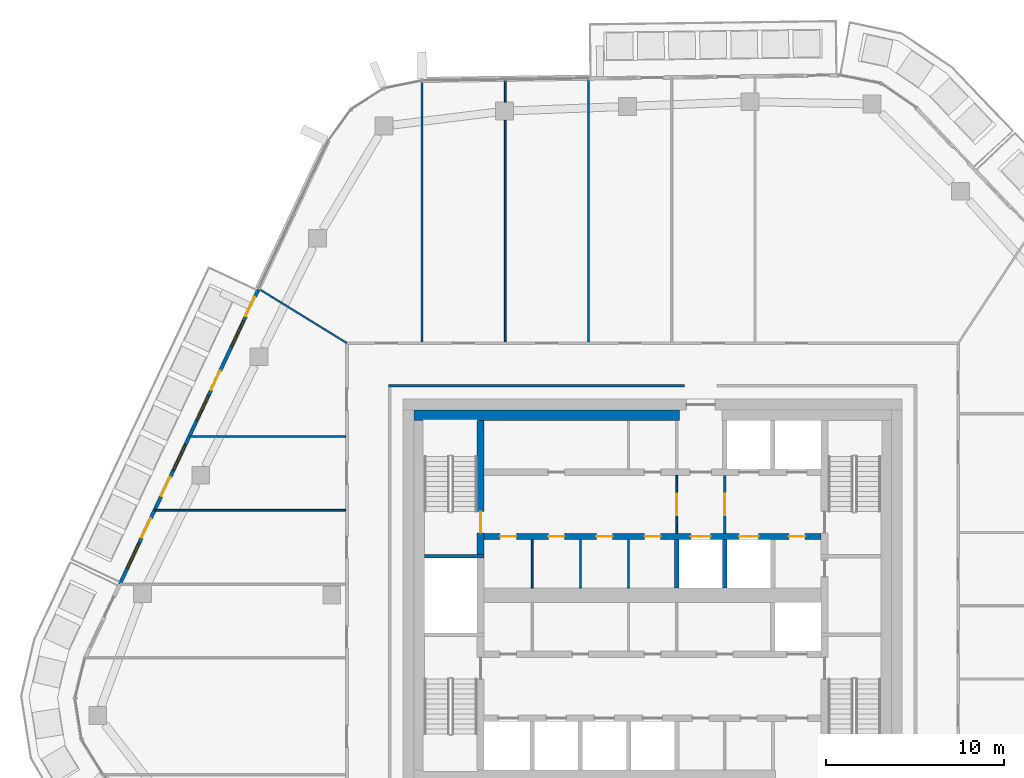
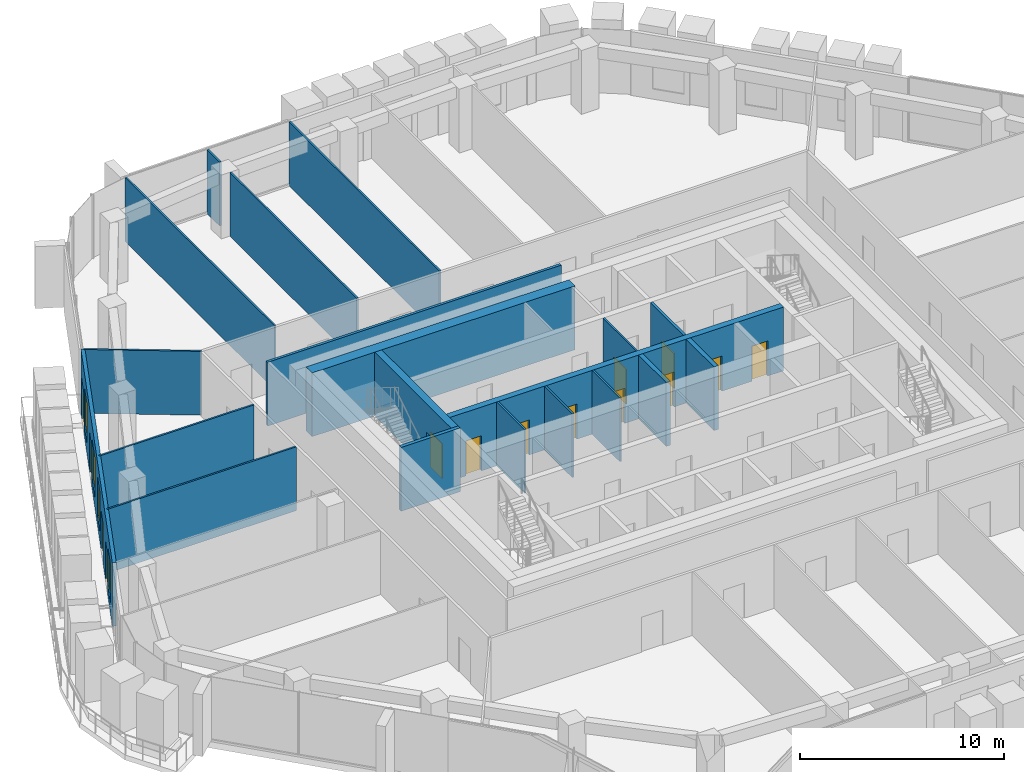
# One storey, part 15 of 23: 20 walls, 14 doors, 4 windows, 18 openings.
"""IFC4 building model written with IfcOpenShell, lengths in metres."""

from ifc_helpers import new_model, si_unit, direction, frame, frame_2d, origin, place, context, subcontext, project, spatial, rectangle, extrude, material, layer, layer_set, type_object, element, fill, save


model = new_model("IFC4")

# Units and contexts
model_context = context("Model", 3, precision=1e-05, world=origin(), true_north=direction((0.0, 1.0)))
body_context = subcontext(model_context, "Body", "Model", "MODEL_VIEW")
ifc_project = project(units=[si_unit("LENGTHUNIT", "METRE"), si_unit("AREAUNIT", "SQUARE_METRE"), si_unit("VOLUMEUNIT", "CUBIC_METRE"), si_unit("PLANEANGLEUNIT", "RADIAN"), si_unit("MASSUNIT", "GRAM", prefix="KILO")], contexts=[model_context])

# Site, building, storey
site_placement = place(None, origin())
site = spatial("IfcSite", under=ifc_project, at=site_placement, CompositionType="ELEMENT")
building_placement = place(site_placement, origin())
building = spatial("IfcBuilding", under=site, at=building_placement, Name="Dongbaek Canopy Tower", CompositionType="ELEMENT")
storey_placement = place(building_placement, frame((0.0, 0.0, 336.199951171875)))
storey = spatial("IfcBuildingStorey", under=building, at=storey_placement, Name="L72", CompositionType="ELEMENT", Elevation=336.199951171875)

# Wall, openings, doors
ifc_material_1 = material(Name="Concrete C60/75", Category="concrete")
ifc_layer_1 = layer(ifc_material_1, 0.35009765625)
ifc_layer_set_1 = layer_set([ifc_layer_1], Name="Core lobby wall 350 Concrete C60/75")
wall_type_1 = type_object("IfcWallType", Name="Core lobby wall 350 Concrete C60/75", PredefinedType="SHEAR", material=ifc_layer_set_1)
wall_1_placement = place(storey_placement, frame((9.449951171875, 3.300048828125, 0.0), z_axis=(0.0, 0.0, 1.0), x_axis=(-1.0, 0.0, 0.0)))
wall_1 = element("IfcWall", 1, at=wall_1_placement, inside=storey, type_object=wall_type_1, Name="Core wall", PredefinedType="SHEAR", context=body_context, shape_type="SweptSolid", body=[
    extrude(rectangle(XDim=18.89990234375, YDim=0.35009765625, at=frame_2d((9.449951171875, 0.0))), origin(), (0.0, 0.0, 1.0), 3.820068359375),
])
opening_1_placement = place(wall_1_placement, frame((6.199951171875, 0.0, 0.0)))
opening_1 = element("IfcOpeningElement", 2, at=opening_1_placement, cuts=wall_1, Name="Opening L72-D030", PredefinedType="OPENING", context=body_context, shape_type="SweptSolid", body=[
    extrude(rectangle(XDim=1.10009765625, YDim=2.10009765625, at=frame_2d((0.550048828125, 1.050048828125))), frame((0.0, 0.18505859375, 0.0), z_axis=(0.0, -1.0, 0.0), x_axis=(1.0, 0.0, 0.0)), (0.0, 0.0, 1.0), 0.3701171875),
])
opening_2_placement = place(wall_1_placement, frame((3.5, 0.0, 0.0)))
opening_2 = element("IfcOpeningElement", 3, at=opening_2_placement, cuts=wall_1, Name="Opening L72-D031", PredefinedType="OPENING", context=body_context, shape_type="SweptSolid", body=[
    extrude(rectangle(XDim=1.10009765625, YDim=2.10009765625, at=frame_2d((0.550048828125, 1.050048828125))), frame((0.0, 0.18505859375, 0.0), z_axis=(0.0, -1.0, 0.0), x_axis=(1.0, 0.0, 0.0)), (0.0, 0.0, 1.0), 0.3701171875),
])
opening_3_placement = place(wall_1_placement, frame((0.89990234375, 0.0, 0.0)))
opening_3 = element("IfcOpeningElement", 4, at=opening_3_placement, cuts=wall_1, Name="Opening L72-D032", PredefinedType="OPENING", context=body_context, shape_type="SweptSolid", body=[
    extrude(rectangle(XDim=0.89990234375, YDim=2.10009765625, at=frame_2d((0.449951171875, 1.050048828125))), frame((0.0, 0.18505859375, 0.0), z_axis=(0.0, -1.0, 0.0), x_axis=(1.0, 0.0, 0.0)), (0.0, 0.0, 1.0), 0.3701171875),
])
opening_4_placement = place(wall_1_placement, frame((17.10009765625, 0.0, 0.0)))
opening_4 = element("IfcOpeningElement", 5, at=opening_4_placement, cuts=wall_1, Name="Opening L72-D042", PredefinedType="OPENING", context=body_context, shape_type="SweptSolid", body=[
    extrude(rectangle(XDim=0.89990234375, YDim=2.10009765625, at=frame_2d((0.449951171875, 1.050048828125))), frame((0.0, 0.18505859375, 0.0), z_axis=(0.0, -1.0, 0.0), x_axis=(1.0, 0.0, 0.0)), (0.0, 0.0, 1.0), 0.3701171875),
])
opening_5_placement = place(wall_1_placement, frame((14.39990234375, 0.0, 0.0)))
opening_5 = element("IfcOpeningElement", 6, at=opening_5_placement, cuts=wall_1, Name="Opening L72-D043", PredefinedType="OPENING", context=body_context, shape_type="SweptSolid", body=[
    extrude(rectangle(XDim=0.89990234375, YDim=2.10009765625, at=frame_2d((0.449951171875, 1.050048828125))), frame((0.0, 0.18505859375, 0.0), z_axis=(0.0, -1.0, 0.0), x_axis=(1.0, 0.0, 0.0)), (0.0, 0.0, 1.0), 0.3701171875),
])
opening_6_placement = place(wall_1_placement, frame((11.699951171875, 0.0, 0.0)))
opening_6 = element("IfcOpeningElement", 7, at=opening_6_placement, cuts=wall_1, Name="Opening L72-D044", PredefinedType="OPENING", context=body_context, shape_type="SweptSolid", body=[
    extrude(rectangle(XDim=0.89990234375, YDim=2.10009765625, at=frame_2d((0.449951171875, 1.050048828125))), frame((0.0, 0.18505859375, 0.0), z_axis=(0.0, -1.0, 0.0), x_axis=(1.0, 0.0, 0.0)), (0.0, 0.0, 1.0), 0.3701171875),
])
opening_7_placement = place(wall_1_placement, frame((9.0, 0.0, 0.0)))
opening_7 = element("IfcOpeningElement", 8, at=opening_7_placement, cuts=wall_1, Name="Opening L72-D045", PredefinedType="OPENING", context=body_context, shape_type="SweptSolid", body=[
    extrude(rectangle(XDim=0.89990234375, YDim=2.10009765625, at=frame_2d((0.449951171875, 1.050048828125))), frame((0.0, 0.18505859375, 0.0), z_axis=(0.0, -1.0, 0.0), x_axis=(1.0, 0.0, 0.0)), (0.0, 0.0, 1.0), 0.3701171875),
])
ifc_material_2 = material(Name="Steel", Category="steel")
door_type_1 = type_object("IfcDoorType", Name="Core room door 900 x 2100", OperationType="SINGLE_SWING_LEFT", PredefinedType="DOOR", material=ifc_material_2)
door_1_placement = place(opening_3_placement, origin())
door_1 = element("IfcDoor", 9, at=door_1_placement, inside=storey, type_object=door_type_1, Name="Door L72-D032", OperationType="SINGLE_SWING_LEFT", OverallHeight=2.10009765625, OverallWidth=0.89990234375, PredefinedType="DOOR", context=body_context, shape_type="SweptSolid", body=[
    extrude(rectangle(XDim=0.89990234375, YDim=2.10009765625, at=frame_2d((0.449951171875, 1.050048828125))), frame((0.0, 0.02490234375, 0.0), z_axis=(0.0, -1.0, 0.0), x_axis=(1.0, 0.0, 0.0)), (0.0, 0.0, 1.0), 0.050048828125),
])
fill(opening_3, door_1)
door_2_placement = place(opening_4_placement, origin())
door_2 = element("IfcDoor", 10, at=door_2_placement, inside=storey, type_object=door_type_1, Name="Door L72-D042", OperationType="SINGLE_SWING_RIGHT", OverallHeight=2.10009765625, OverallWidth=0.89990234375, PredefinedType="DOOR", context=body_context, shape_type="SweptSolid", body=[
    extrude(rectangle(XDim=0.89990234375, YDim=2.10009765625, at=frame_2d((0.449951171875, 1.050048828125))), frame((0.0, 0.02490234375, 0.0), z_axis=(0.0, -1.0, 0.0), x_axis=(1.0, 0.0, 0.0)), (0.0, 0.0, 1.0), 0.050048828125),
])
fill(opening_4, door_2)
door_3_placement = place(opening_5_placement, origin())
door_3 = element("IfcDoor", 11, at=door_3_placement, inside=storey, type_object=door_type_1, Name="Door L72-D043", OperationType="SINGLE_SWING_LEFT", OverallHeight=2.10009765625, OverallWidth=0.89990234375, PredefinedType="DOOR", context=body_context, shape_type="SweptSolid", body=[
    extrude(rectangle(XDim=0.89990234375, YDim=2.10009765625, at=frame_2d((0.449951171875, 1.050048828125))), frame((0.0, 0.02490234375, 0.0), z_axis=(0.0, -1.0, 0.0), x_axis=(1.0, 0.0, 0.0)), (0.0, 0.0, 1.0), 0.050048828125),
])
fill(opening_5, door_3)
door_4_placement = place(opening_6_placement, origin())
door_4 = element("IfcDoor", 12, at=door_4_placement, inside=storey, type_object=door_type_1, Name="Door L72-D044", OperationType="SINGLE_SWING_RIGHT", OverallHeight=2.10009765625, OverallWidth=0.89990234375, PredefinedType="DOOR", context=body_context, shape_type="SweptSolid", body=[
    extrude(rectangle(XDim=0.89990234375, YDim=2.10009765625, at=frame_2d((0.449951171875, 1.050048828125))), frame((0.0, 0.02490234375, 0.0), z_axis=(0.0, -1.0, 0.0), x_axis=(1.0, 0.0, 0.0)), (0.0, 0.0, 1.0), 0.050048828125),
])
fill(opening_6, door_4)
door_5_placement = place(opening_7_placement, origin())
door_5 = element("IfcDoor", 13, at=door_5_placement, inside=storey, type_object=door_type_1, Name="Door L72-D045", OperationType="SINGLE_SWING_LEFT", OverallHeight=2.10009765625, OverallWidth=0.89990234375, PredefinedType="DOOR", context=body_context, shape_type="SweptSolid", body=[
    extrude(rectangle(XDim=0.89990234375, YDim=2.10009765625, at=frame_2d((0.449951171875, 1.050048828125))), frame((0.0, 0.02490234375, 0.0), z_axis=(0.0, -1.0, 0.0), x_axis=(1.0, 0.0, 0.0)), (0.0, 0.0, 1.0), 0.050048828125),
])
fill(opening_7, door_5)
ifc_material_3 = material(Name="Stainless steel", Category="steel")
door_type_2 = type_object("IfcDoorType", Name="Lift landing door 1100 x 2100", OperationType="DOUBLE_DOOR_SLIDING", PredefinedType="DOOR", material=ifc_material_3)
door_6_placement = place(opening_1_placement, origin())
door_6 = element("IfcDoor", 14, at=door_6_placement, inside=storey, type_object=door_type_2, Name="Landing door SV1", OperationType="DOUBLE_DOOR_SLIDING", OverallHeight=2.10009765625, OverallWidth=1.10009765625, PredefinedType="DOOR", context=body_context, shape_type="SweptSolid", body=[
    extrude(rectangle(XDim=1.10009765625, YDim=2.10009765625, at=frame_2d((0.550048828125, 1.050048828125))), frame((0.0, 0.02490234375, 0.0), z_axis=(0.0, -1.0, 0.0), x_axis=(1.0, 0.0, 0.0)), (0.0, 0.0, 1.0), 0.050048828125),
])
fill(opening_1, door_6)
door_7_placement = place(opening_2_placement, origin())
door_7 = element("IfcDoor", 15, at=door_7_placement, inside=storey, type_object=door_type_2, Name="Landing door FF3", OperationType="DOUBLE_DOOR_SLIDING", OverallHeight=2.10009765625, OverallWidth=1.10009765625, PredefinedType="DOOR", context=body_context, shape_type="SweptSolid", body=[
    extrude(rectangle(XDim=1.10009765625, YDim=2.10009765625, at=frame_2d((0.550048828125, 1.050048828125))), frame((0.0, 0.02490234375, 0.0), z_axis=(0.0, -1.0, 0.0), x_axis=(1.0, 0.0, 0.0)), (0.0, 0.0, 1.0), 0.050048828125),
])
fill(opening_2, door_7)

# Walls
ifc_material_4 = material(Name="Concrete C60/75", Category="concrete")
ifc_layer_2 = layer(ifc_material_4, 0.60009765625)
ifc_layer_set_2 = layer_set([ifc_layer_2], Name="Core wall lining 600 Concrete C60/75")
wall_type_2 = type_object("IfcWallType", Name="Core wall lining 600 Concrete C60/75", PredefinedType="SHEAR", material=ifc_layer_set_2)
wall_2_placement = place(storey_placement, frame((-13.39990234375, 10.10009765625, 0.0), z_axis=(0.0, 0.0, 1.0), x_axis=(1.0, 0.0, 0.0)))
element("IfcWall", 16, at=wall_2_placement, inside=storey, type_object=wall_type_2, Name="Core wall lining", PredefinedType="SHEAR", context=body_context, shape_type="SweptSolid", body=[
    extrude(rectangle(XDim=14.89990234375, YDim=0.60009765625, at=frame_2d((7.449951171875, 0.0))), origin(), (0.0, 0.0, 1.0), 3.820068359375),
])
ifc_material_5 = material(Name="Gypsum board partition, steel stud, 2 x 15 mm fire board", Category="steel")
ifc_layer_3 = layer(ifc_material_5, 0.14990234375)
ifc_layer_set_3 = layer_set([ifc_layer_3], Name="Fire-rated partition 150 gypsum board")
wall_type_3 = type_object("IfcWallType", Name="Fire-rated partition 150 gypsum board", PredefinedType="PARTITIONING", material=ifc_layer_set_3)
wall_3_placement = place(storey_placement, frame((-14.824951171875, 11.75, 0.0), z_axis=(0.0, 0.0, 1.0), x_axis=(1.0, 0.0, 0.0)))
element("IfcWall", 17, at=wall_3_placement, inside=storey, type_object=wall_type_3, Name="Corridor partition", PredefinedType="PARTITIONING", context=body_context, shape_type="SweptSolid", body=[
    extrude(rectangle(XDim=16.625, YDim=0.14990234375, at=frame_2d((8.3125, 0.0))), origin(), (0.0, 0.0, 1.0), 3.820068359375),
])

# Wall, opening, door
wall_4_placement = place(storey_placement, frame((4.050048828125, 6.72509765625, 0.0), z_axis=(0.0, 0.0, 1.0), x_axis=(0.0, -1.0, 0.0)))
wall_4 = element("IfcWall", 18, at=wall_4_placement, inside=storey, type_object=wall_type_3, Name="Fire lobby partition", PredefinedType="PARTITIONING", context=body_context, shape_type="SweptSolid", body=[
    extrude(rectangle(XDim=3.25, YDim=0.14990234375, at=frame_2d((1.625, 0.0))), origin(), (0.0, 0.0, 1.0), 3.820068359375),
])
opening_8_placement = place(wall_4_placement, frame((1.02490234375, 0.0, 0.0)))
opening_8 = element("IfcOpeningElement", 19, at=opening_8_placement, cuts=wall_4, Name="Opening L72-D057", PredefinedType="OPENING", context=body_context, shape_type="SweptSolid", body=[
    extrude(rectangle(XDim=1.199951171875, YDim=2.10009765625, at=frame_2d((0.60009765625, 1.050048828125))), frame((0.0, 0.0849609375, 0.0), z_axis=(0.0, -1.0, 0.0), x_axis=(1.0, 0.0, 0.0)), (0.0, 0.0, 1.0), 0.169921875),
])
ifc_material_6 = material(Name="Steel", Category="steel")
door_type_3 = type_object("IfcDoorType", Name="Fire lobby door 1200 x 2100", OperationType="SINGLE_SWING_LEFT", PredefinedType="DOOR", material=ifc_material_6)
door_8_placement = place(opening_8_placement, origin())
door_8 = element("IfcDoor", 20, at=door_8_placement, inside=storey, type_object=door_type_3, Name="Door L72-D057", OperationType="SINGLE_SWING_RIGHT", OverallHeight=2.10009765625, OverallWidth=1.199951171875, PredefinedType="DOOR", context=body_context, shape_type="SweptSolid", body=[
    extrude(rectangle(XDim=1.199951171875, YDim=2.10009765625, at=frame_2d((0.60009765625, 1.050048828125))), frame((0.0, 0.02490234375, 0.0), z_axis=(0.0, -1.0, 0.0), x_axis=(1.0, 0.0, 0.0)), (0.0, 0.0, 1.0), 0.050048828125),
])
fill(opening_8, door_8)

# Walls
ifc_material_7 = material(Name="Concrete C40/50", Category="concrete")
ifc_layer_4 = layer(ifc_material_7, 0.25)
ifc_layer_set_4 = layer_set([ifc_layer_4], Name="Lift shaft wall 250 Concrete C40/50")
wall_type_4 = type_object("IfcWallType", Name="Lift shaft wall 250 Concrete C40/50", PredefinedType="SOLIDWALL", material=ifc_layer_set_4)
for number, where, z_axis, x_axis, name in (
    (21, (4.050048828125, 0.39990234375, 0.0), (0.0, 0.0, 1.0), (0.0, 1.0, 0.0), "Lift shaft wall"),
    (22, (1.35009765625, 0.39990234375, 0.0), (0.0, 0.0, 1.0), (0.0, 1.0, 0.0), "Lift shaft wall"),
):
    element("IfcWall", number, at=place(storey_placement, frame(where, z_axis=z_axis, x_axis=x_axis)), inside=storey, type_object=wall_type_4, Name=name, PredefinedType="SOLIDWALL", context=body_context, shape_type="SweptSolid", body=[
        extrude(rectangle(XDim=2.72509765625, YDim=0.25, at=frame_2d((1.362548828125, 0.0))), origin(), (0.0, 0.0, 1.0), 3.820068359375),
    ])
ifc_material_8 = material(Name="Gypsum board partition, steel stud, 2 x 12.5 mm board", Category="steel")
ifc_layer_5 = layer(ifc_material_8, 0.10009765625)
ifc_layer_set_5 = layer_set([ifc_layer_5], Name="Partition 100 gypsum board")
wall_type_5 = type_object("IfcWallType", Name="Partition 100 gypsum board", PredefinedType="PARTITIONING", material=ifc_layer_set_5)
wall_5_placement = place(storey_placement, frame((-27.919677734375, 4.76806640625, 0.0), z_axis=(0.0, 0.0, 1.0), x_axis=(1.0, 0.0, 0.0)))
element("IfcWall", 23, at=wall_5_placement, inside=storey, type_object=wall_type_5, Name="Partition", PredefinedType="PARTITIONING", context=body_context, shape_type="SweptSolid", body=[
    extrude(rectangle(XDim=10.694580078125, YDim=0.10009765625, at=frame_2d((5.34716796875, 0.0))), origin(), (0.0, 0.0, 1.0), 3.820068359375),
])
wall_6_placement = place(storey_placement, frame((-25.971923828125, 8.910888671875, 0.0), z_axis=(0.0, 0.0, 1.0), x_axis=(1.0, 0.0, 0.0)))
element("IfcWall", 24, at=wall_6_placement, inside=storey, type_object=wall_type_5, Name="Partition", PredefinedType="PARTITIONING", context=body_context, shape_type="SweptSolid", body=[
    extrude(rectangle(XDim=8.746826171875, YDim=0.10009765625, at=frame_2d((4.37353515625, 0.0))), origin(), (0.0, 0.0, 1.0), 3.820068359375),
])
wall_7_placement = place(storey_placement, frame((-3.593017578125, 14.22509765625, 0.0), z_axis=(0.0, 0.0, 1.0), x_axis=(0.0, 1.0, 0.0)))
element("IfcWall", 25, at=wall_7_placement, inside=storey, type_object=wall_type_5, Name="Partition", PredefinedType="PARTITIONING", context=body_context, shape_type="SweptSolid", body=[
    extrude(rectangle(XDim=14.746826171875, YDim=0.10009765625, at=frame_2d((7.37353515625, 0.0))), origin(), (0.0, 0.0, 1.0), 3.820068359375),
])
wall_8_placement = place(storey_placement, frame((-8.26806640625, 14.22509765625, 0.0), z_axis=(0.0, 0.0, 1.0), x_axis=(0.0, 1.0, 0.0)))
element("IfcWall", 26, at=wall_8_placement, inside=storey, type_object=wall_type_5, Name="Partition", PredefinedType="PARTITIONING", context=body_context, shape_type="SweptSolid", body=[
    extrude(rectangle(XDim=12.43896484375, YDim=0.10009765625, at=frame_2d((6.219482421875, 0.0))), origin(), (0.0, 0.0, 1.0), 3.820068359375),
])
wall_9_placement = place(storey_placement, frame((-8.26806640625, 27.6640625, 0.0), z_axis=(0.0, 0.0, 1.0), x_axis=(0.0, 1.0, 0.0)))
element("IfcWall", 27, at=wall_9_placement, inside=storey, type_object=wall_type_5, Name="Partition", PredefinedType="PARTITIONING", context=body_context, shape_type="SweptSolid", body=[
    extrude(rectangle(XDim=1.246337890625, YDim=0.10009765625, at=frame_2d((0.623046875, 0.0))), origin(), (0.0, 0.0, 1.0), 3.820068359375),
])
wall_10_placement = place(storey_placement, frame((-12.931884765625, 14.22509765625, 0.0), z_axis=(0.0, 0.0, 1.0), x_axis=(0.0, 1.0, 0.0)))
element("IfcWall", 28, at=wall_10_placement, inside=storey, type_object=wall_type_5, Name="Partition", PredefinedType="PARTITIONING", context=body_context, shape_type="SweptSolid", body=[
    extrude(rectangle(XDim=14.62353515625, YDim=0.10009765625, at=frame_2d((7.311767578125, 0.0))), origin(), (0.0, 0.0, 1.0), 3.820068359375),
])
wall_11_placement = place(storey_placement, frame((-22.081298828125, 17.185302734375, 0.0), z_axis=(0.0, 0.0, 1.0), x_axis=(0.85162357217, -0.524153881341, 0.0)))
element("IfcWall", 29, at=wall_11_placement, inside=storey, type_object=wall_type_5, Name="Partition", PredefinedType="PARTITIONING", context=body_context, shape_type="SweptSolid", body=[
    extrude(rectangle(XDim=5.79052734375, YDim=0.10009765625, at=frame_2d((2.895263671875, 0.0))), origin(), (0.0, 0.0, 1.0), 3.820068359375),
])

# Wall, opening, door
wall_12_placement = place(storey_placement, frame((1.35009765625, 6.72509765625, 0.0), z_axis=(0.0, 0.0, 1.0), x_axis=(0.0, -1.0, 0.0)))
wall_12 = element("IfcWall", 30, at=wall_12_placement, inside=storey, type_object=wall_type_5, Name="Core partition", PredefinedType="PARTITIONING", context=body_context, shape_type="SweptSolid", body=[
    extrude(rectangle(XDim=3.25, YDim=0.10009765625, at=frame_2d((1.625, 0.0))), origin(), (0.0, 0.0, 1.0), 3.820068359375),
])
opening_9_placement = place(wall_12_placement, frame((1.02490234375, 0.0, 0.0)))
opening_9 = element("IfcOpeningElement", 31, at=opening_9_placement, cuts=wall_12, Name="Opening L72-D056", PredefinedType="OPENING", context=body_context, shape_type="SweptSolid", body=[
    extrude(rectangle(XDim=1.199951171875, YDim=2.10009765625, at=frame_2d((0.60009765625, 1.050048828125))), frame((0.0, 0.06005859375, 0.0), z_axis=(0.0, -1.0, 0.0), x_axis=(1.0, 0.0, 0.0)), (0.0, 0.0, 1.0), 0.1201171875),
])
door_9_placement = place(opening_9_placement, origin())
door_9 = element("IfcDoor", 32, at=door_9_placement, inside=storey, type_object=door_type_3, Name="Door L72-D056", OperationType="SINGLE_SWING_LEFT", OverallHeight=2.10009765625, OverallWidth=1.199951171875, PredefinedType="DOOR", context=body_context, shape_type="SweptSolid", body=[
    extrude(rectangle(XDim=1.199951171875, YDim=2.10009765625, at=frame_2d((0.60009765625, 1.050048828125))), frame((0.0, 0.02490234375, 0.0), z_axis=(0.0, -1.0, 0.0), x_axis=(1.0, 0.0, 0.0)), (0.0, 0.0, 1.0), 0.050048828125),
])
fill(opening_9, door_9)

# Walls
for number, where, z_axis, x_axis, name in (
    (33, (-1.35009765625, 0.39990234375, 0.0), (0.0, 0.0, 1.0), (0.0, 1.0, 0.0), "Core partition"),
    (34, (-4.050048828125, 0.39990234375, 0.0), (0.0, 0.0, 1.0), (0.0, 1.0, 0.0), "Core partition"),
    (35, (-6.75, 0.39990234375, 0.0), (0.0, 0.0, 1.0), (0.0, 1.0, 0.0), "Core partition"),
):
    element("IfcWall", number, at=place(storey_placement, frame(where, z_axis=z_axis, x_axis=x_axis)), inside=storey, type_object=wall_type_5, Name=name, PredefinedType="PARTITIONING", context=body_context, shape_type="SweptSolid", body=[
        extrude(rectangle(XDim=2.72509765625, YDim=0.10009765625, at=frame_2d((1.362548828125, 0.0))), origin(), (0.0, 0.0, 1.0), 3.820068359375),
    ])
ifc_material_9 = material(Name="Concrete C60/75", Category="concrete")
ifc_layer_6 = layer(ifc_material_9, 0.199951171875)
ifc_layer_set_6 = layer_set([ifc_layer_6], Name="Riser wall 200 Concrete C60/75")
wall_type_6 = type_object("IfcWallType", Name="Riser wall 200 Concrete C60/75", PredefinedType="SHEAR", material=ifc_layer_set_6)
wall_13_placement = place(storey_placement, frame((-9.449951171875, 2.199951171875, 0.0), z_axis=(0.0, 0.0, 1.0), x_axis=(-1.0, 0.0, 0.0)))
element("IfcWall", 36, at=wall_13_placement, inside=storey, type_object=wall_type_6, Name="Riser wall", PredefinedType="SHEAR", context=body_context, shape_type="SweptSolid", body=[
    extrude(rectangle(XDim=3.35009765625, YDim=0.199951171875, at=frame_2d((1.675048828125, 0.0))), origin(), (0.0, 0.0, 1.0), 3.820068359375),
])

# Wall, opening, door
ifc_material_10 = material(Name="Concrete C60/75", Category="concrete")
ifc_layer_7 = layer(ifc_material_10, 0.39990234375)
ifc_layer_set_7 = layer_set([ifc_layer_7], Name="Stair wall 400 Concrete C60/75")
wall_type_7 = type_object("IfcWallType", Name="Stair wall 400 Concrete C60/75", PredefinedType="SHEAR", material=ifc_layer_set_7)
wall_14_placement = place(storey_placement, frame((-9.64990234375, 2.300048828125, 0.0), z_axis=(0.0, 0.0, 1.0), x_axis=(0.0, 1.0, 0.0)))
wall_14 = element("IfcWall", 37, at=wall_14_placement, inside=storey, type_object=wall_type_7, Name="Stair wall", PredefinedType="SHEAR", context=body_context, shape_type="SweptSolid", body=[
    extrude(rectangle(XDim=7.5, YDim=0.39990234375, at=frame_2d((3.75, 0.0))), origin(), (0.0, 0.0, 1.0), 3.820068359375),
])
opening_10_placement = place(wall_14_placement, frame((1.199951171875, 0.0, 0.0)))
opening_10 = element("IfcOpeningElement", 38, at=opening_10_placement, cuts=wall_14, Name="Opening L72-D053", PredefinedType="OPENING", context=body_context, shape_type="SweptSolid", body=[
    extrude(rectangle(XDim=1.199951171875, YDim=2.10009765625, at=frame_2d((0.60009765625, 1.050048828125))), frame((0.0, 0.2099609375, 0.0), z_axis=(0.0, -1.0, 0.0), x_axis=(1.0, 0.0, 0.0)), (0.0, 0.0, 1.0), 0.419921875),
])
ifc_material_11 = material(Name="Steel", Category="steel")
door_type_4 = type_object("IfcDoorType", Name="Stair door 1200 x 2100", OperationType="SINGLE_SWING_LEFT", PredefinedType="DOOR", material=ifc_material_11)
door_10_placement = place(opening_10_placement, origin())
door_10 = element("IfcDoor", 39, at=door_10_placement, inside=storey, type_object=door_type_4, Name="Stair C door", OperationType="SINGLE_SWING_RIGHT", OverallHeight=2.10009765625, OverallWidth=1.199951171875, PredefinedType="DOOR", context=body_context, shape_type="SweptSolid", body=[
    extrude(rectangle(XDim=1.199951171875, YDim=2.10009765625, at=frame_2d((0.60009765625, 1.050048828125))), frame((0.0, 0.02490234375, 0.0), z_axis=(0.0, -1.0, 0.0), x_axis=(1.0, 0.0, 0.0)), (0.0, 0.0, 1.0), 0.050048828125),
])
fill(opening_10, door_10)

# Wall, openings, doors, windows
ifc_material_12 = material(Name="Aluminium window wall", Category="aluminium")
ifc_layer_8 = layer(ifc_material_12, 0.199951171875)
ifc_layer_set_8 = layer_set([ifc_layer_8], Name="Window wall 200")
wall_type_8 = type_object("IfcWallType", Name="Window wall 200", PredefinedType="SOLIDWALL", material=ifc_layer_set_8)
wall_15_placement = place(storey_placement, frame((-22.098876953125, 17.195068359375, 0.0), z_axis=(0.0, 0.0, 1.0), x_axis=(-0.425492631057, -0.904961889206, 0.0)))
wall_15 = element("IfcWall", 40, at=wall_15_placement, inside=storey, type_object=wall_type_8, Name="Window wall L72 3", PredefinedType="SOLIDWALL", context=body_context, shape_type="SweptSolid", body=[
    extrude(rectangle(XDim=18.309326171875, YDim=0.199951171875, at=frame_2d((9.15478515625, 0.0))), origin(), (0.0, 0.0, 1.0), 3.820068359375),
])
opening_11_placement = place(wall_15_placement, frame((2.0, 0.0, 0.60009765625)))
opening_11 = element("IfcOpeningElement", 41, at=opening_11_placement, cuts=wall_15, Name="Opening W1", PredefinedType="OPENING", context=body_context, shape_type="SweptSolid", body=[
    extrude(rectangle(XDim=1.60009765625, YDim=2.39990234375, at=frame_2d((0.800048828125, 1.199951171875))), frame((0.0, 0.10986328125, 0.0), z_axis=(0.0, -1.0, 0.0), x_axis=(1.0, 0.0, 0.0)), (0.0, 0.0, 1.0), 0.219970703125),
])
opening_12_placement = place(wall_15_placement, frame((0.5, 0.0, 0.0)))
opening_12 = element("IfcOpeningElement", 42, at=opening_12_placement, cuts=wall_15, Name="Opening L72-B07", PredefinedType="OPENING", context=body_context, shape_type="SweptSolid", body=[
    extrude(rectangle(XDim=1.199951171875, YDim=2.39990234375, at=frame_2d((0.60009765625, 1.199951171875))), frame((0.0, 0.10986328125, 0.0), z_axis=(0.0, -1.0, 0.0), x_axis=(1.0, 0.0, 0.0)), (0.0, 0.0, 1.0), 0.219970703125),
])
opening_13_placement = place(wall_15_placement, frame((6.577392578125, 0.0, 0.60009765625)))
opening_13 = element("IfcOpeningElement", 43, at=opening_13_placement, cuts=wall_15, Name="Opening W1", PredefinedType="OPENING", context=body_context, shape_type="SweptSolid", body=[
    extrude(rectangle(XDim=1.60009765625, YDim=2.39990234375, at=frame_2d((0.800048828125, 1.199951171875))), frame((0.0, 0.10986328125, 0.0), z_axis=(0.0, -1.0, 0.0), x_axis=(1.0, 0.0, 0.0)), (0.0, 0.0, 1.0), 0.219970703125),
])
opening_14_placement = place(wall_15_placement, frame((5.077392578125, 0.0, 0.0)))
opening_14 = element("IfcOpeningElement", 44, at=opening_14_placement, cuts=wall_15, Name="Opening L72-B08", PredefinedType="OPENING", context=body_context, shape_type="SweptSolid", body=[
    extrude(rectangle(XDim=1.199951171875, YDim=2.39990234375, at=frame_2d((0.60009765625, 1.199951171875))), frame((0.0, 0.10986328125, 0.0), z_axis=(0.0, -1.0, 0.0), x_axis=(1.0, 0.0, 0.0)), (0.0, 0.0, 1.0), 0.219970703125),
])
opening_15_placement = place(wall_15_placement, frame((9.65478515625, 0.0, 0.60009765625)))
opening_15 = element("IfcOpeningElement", 45, at=opening_15_placement, cuts=wall_15, Name="Opening W1", PredefinedType="OPENING", context=body_context, shape_type="SweptSolid", body=[
    extrude(rectangle(XDim=1.60009765625, YDim=2.39990234375, at=frame_2d((0.800048828125, 1.199951171875))), frame((0.0, 0.10986328125, 0.0), z_axis=(0.0, -1.0, 0.0), x_axis=(1.0, 0.0, 0.0)), (0.0, 0.0, 1.0), 0.219970703125),
])
opening_16_placement = place(wall_15_placement, frame((11.65478515625, 0.0, 0.0)))
opening_16 = element("IfcOpeningElement", 46, at=opening_16_placement, cuts=wall_15, Name="Opening L72-B09", PredefinedType="OPENING", context=body_context, shape_type="SweptSolid", body=[
    extrude(rectangle(XDim=1.199951171875, YDim=2.39990234375, at=frame_2d((0.60009765625, 1.199951171875))), frame((0.0, 0.10986328125, 0.0), z_axis=(0.0, -1.0, 0.0), x_axis=(1.0, 0.0, 0.0)), (0.0, 0.0, 1.0), 0.219970703125),
])
opening_17_placement = place(wall_15_placement, frame((15.732177734375, 0.0, 0.60009765625)))
opening_17 = element("IfcOpeningElement", 47, at=opening_17_placement, cuts=wall_15, Name="Opening W1", PredefinedType="OPENING", context=body_context, shape_type="SweptSolid", body=[
    extrude(rectangle(XDim=1.60009765625, YDim=2.39990234375, at=frame_2d((0.800048828125, 1.199951171875))), frame((0.0, 0.10986328125, 0.0), z_axis=(0.0, -1.0, 0.0), x_axis=(1.0, 0.0, 0.0)), (0.0, 0.0, 1.0), 0.219970703125),
])
opening_18_placement = place(wall_15_placement, frame((14.232177734375, 0.0, 0.0)))
opening_18 = element("IfcOpeningElement", 48, at=opening_18_placement, cuts=wall_15, Name="Opening L72-B10", PredefinedType="OPENING", context=body_context, shape_type="SweptSolid", body=[
    extrude(rectangle(XDim=1.199951171875, YDim=2.39990234375, at=frame_2d((0.60009765625, 1.199951171875))), frame((0.0, 0.10986328125, 0.0), z_axis=(0.0, -1.0, 0.0), x_axis=(1.0, 0.0, 0.0)), (0.0, 0.0, 1.0), 0.219970703125),
])
ifc_material_13 = material(Name="Clear glazing in aluminium frame", Category="aluminium")
door_type_5 = type_object("IfcDoorType", Name="Balcony door BD1 1200 x 2400", OperationType="SLIDING_TO_LEFT", PredefinedType="DOOR", material=ifc_material_13)
door_11_placement = place(opening_12_placement, origin())
door_11 = element("IfcDoor", 49, at=door_11_placement, inside=storey, type_object=door_type_5, Name="Balcony door L72-B07", OperationType="SLIDING_TO_LEFT", OverallHeight=2.39990234375, OverallWidth=1.199951171875, PredefinedType="DOOR", context=body_context, shape_type="SweptSolid", body=[
    extrude(rectangle(XDim=1.199951171875, YDim=2.39990234375, at=frame_2d((0.60009765625, 1.199951171875))), frame((0.0, 0.02490234375, 0.0), z_axis=(0.0, -1.0, 0.0), x_axis=(1.0, 0.0, 0.0)), (0.0, 0.0, 1.0), 0.050048828125),
])
fill(opening_12, door_11)
door_12_placement = place(opening_14_placement, origin())
door_12 = element("IfcDoor", 50, at=door_12_placement, inside=storey, type_object=door_type_5, Name="Balcony door L72-B08", OperationType="SLIDING_TO_LEFT", OverallHeight=2.39990234375, OverallWidth=1.199951171875, PredefinedType="DOOR", context=body_context, shape_type="SweptSolid", body=[
    extrude(rectangle(XDim=1.199951171875, YDim=2.39990234375, at=frame_2d((0.60009765625, 1.199951171875))), frame((0.0, 0.02490234375, 0.0), z_axis=(0.0, -1.0, 0.0), x_axis=(1.0, 0.0, 0.0)), (0.0, 0.0, 1.0), 0.050048828125),
])
fill(opening_14, door_12)
door_13_placement = place(opening_16_placement, origin())
door_13 = element("IfcDoor", 51, at=door_13_placement, inside=storey, type_object=door_type_5, Name="Balcony door L72-B09", OperationType="SLIDING_TO_LEFT", OverallHeight=2.39990234375, OverallWidth=1.199951171875, PredefinedType="DOOR", context=body_context, shape_type="SweptSolid", body=[
    extrude(rectangle(XDim=1.199951171875, YDim=2.39990234375, at=frame_2d((0.60009765625, 1.199951171875))), frame((0.0, 0.02490234375, 0.0), z_axis=(0.0, -1.0, 0.0), x_axis=(1.0, 0.0, 0.0)), (0.0, 0.0, 1.0), 0.050048828125),
])
fill(opening_16, door_13)
door_14_placement = place(opening_18_placement, origin())
door_14 = element("IfcDoor", 52, at=door_14_placement, inside=storey, type_object=door_type_5, Name="Balcony door L72-B10", OperationType="SLIDING_TO_LEFT", OverallHeight=2.39990234375, OverallWidth=1.199951171875, PredefinedType="DOOR", context=body_context, shape_type="SweptSolid", body=[
    extrude(rectangle(XDim=1.199951171875, YDim=2.39990234375, at=frame_2d((0.60009765625, 1.199951171875))), frame((0.0, 0.02490234375, 0.0), z_axis=(0.0, -1.0, 0.0), x_axis=(1.0, 0.0, 0.0)), (0.0, 0.0, 1.0), 0.050048828125),
])
fill(opening_18, door_14)
ifc_material_14 = material(Name="Clear glazing in aluminium frame", Category="aluminium")
window_type = type_object("IfcWindowType", Name="Window W1 1600 x 2400", PartitioningType="SINGLE_PANEL", PredefinedType="WINDOW", material=ifc_material_14)
window_1_placement = place(opening_11_placement, origin())
window_1 = element("IfcWindow", 53, at=window_1_placement, inside=storey, type_object=window_type, Name="Window L72 3.1", OverallHeight=2.39990234375, OverallWidth=1.60009765625, PartitioningType="SINGLE_PANEL", PredefinedType="WINDOW", context=body_context, shape_type="SweptSolid", body=[
    extrude(rectangle(XDim=1.60009765625, YDim=2.39990234375, at=frame_2d((0.800048828125, 1.199951171875))), frame((0.0, 0.030029296875, 0.0), z_axis=(0.0, -1.0, 0.0), x_axis=(1.0, 0.0, 0.0)), (0.0, 0.0, 1.0), 0.06005859375),
])
fill(opening_11, window_1)
window_2_placement = place(opening_13_placement, origin())
window_2 = element("IfcWindow", 54, at=window_2_placement, inside=storey, type_object=window_type, Name="Window L72 3.2", OverallHeight=2.39990234375, OverallWidth=1.60009765625, PartitioningType="SINGLE_PANEL", PredefinedType="WINDOW", context=body_context, shape_type="SweptSolid", body=[
    extrude(rectangle(XDim=1.60009765625, YDim=2.39990234375, at=frame_2d((0.800048828125, 1.199951171875))), frame((0.0, 0.030029296875, 0.0), z_axis=(0.0, -1.0, 0.0), x_axis=(1.0, 0.0, 0.0)), (0.0, 0.0, 1.0), 0.06005859375),
])
fill(opening_13, window_2)
window_3_placement = place(opening_15_placement, origin())
window_3 = element("IfcWindow", 55, at=window_3_placement, inside=storey, type_object=window_type, Name="Window L72 3.3", OverallHeight=2.39990234375, OverallWidth=1.60009765625, PartitioningType="SINGLE_PANEL", PredefinedType="WINDOW", context=body_context, shape_type="SweptSolid", body=[
    extrude(rectangle(XDim=1.60009765625, YDim=2.39990234375, at=frame_2d((0.800048828125, 1.199951171875))), frame((0.0, 0.030029296875, 0.0), z_axis=(0.0, -1.0, 0.0), x_axis=(1.0, 0.0, 0.0)), (0.0, 0.0, 1.0), 0.06005859375),
])
fill(opening_15, window_3)
window_4_placement = place(opening_17_placement, origin())
window_4 = element("IfcWindow", 56, at=window_4_placement, inside=storey, type_object=window_type, Name="Window L72 3.4", OverallHeight=2.39990234375, OverallWidth=1.60009765625, PartitioningType="SINGLE_PANEL", PredefinedType="WINDOW", context=body_context, shape_type="SweptSolid", body=[
    extrude(rectangle(XDim=1.60009765625, YDim=2.39990234375, at=frame_2d((0.800048828125, 1.199951171875))), frame((0.0, 0.030029296875, 0.0), z_axis=(0.0, -1.0, 0.0), x_axis=(1.0, 0.0, 0.0)), (0.0, 0.0, 1.0), 0.06005859375),
])
fill(opening_17, window_4)

save(model, "model.ifc")
